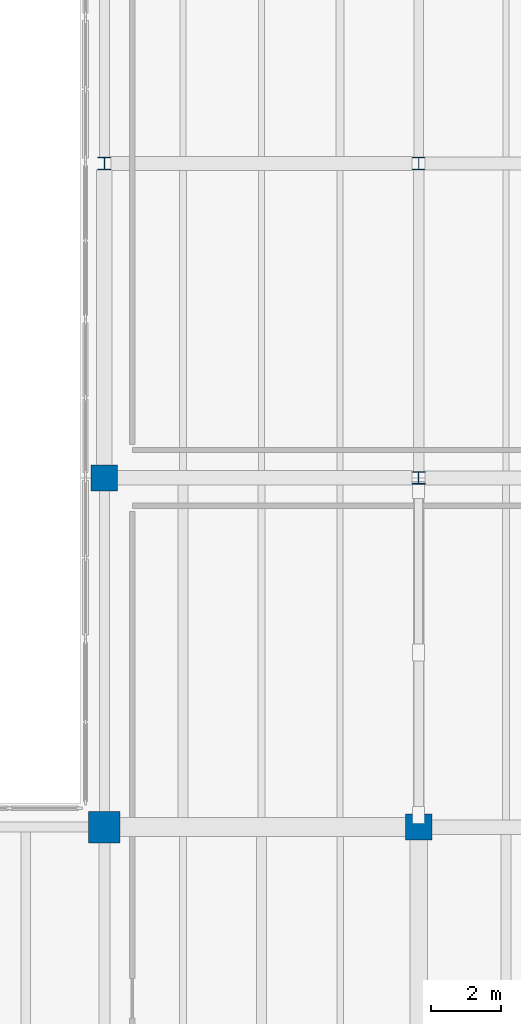
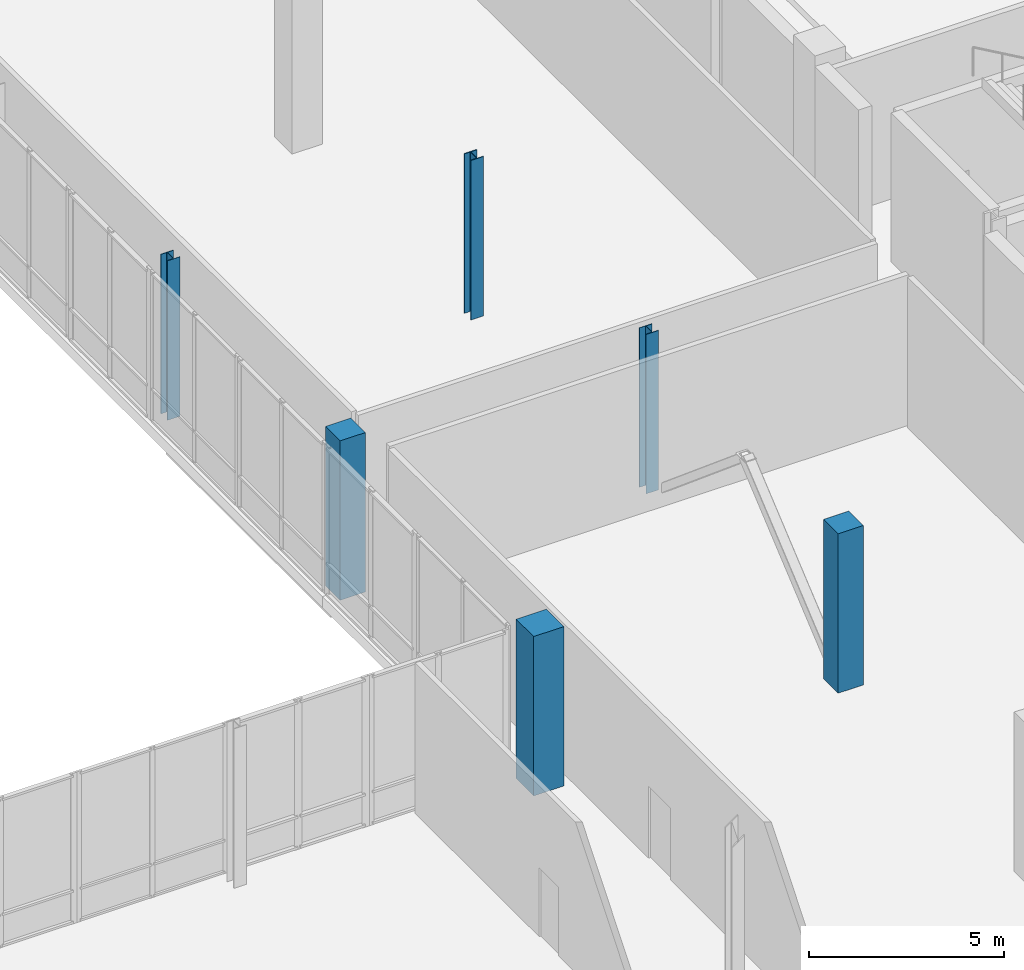
# One storey, part 8 of 88: 6 columns.
"""IFC4 building model written with IfcOpenShell, lengths in metres."""

from ifc_helpers import new_model, si_unit, direction, frame, origin, origin_2d, place, context, subcontext, project, spatial, rectangle, i_section, extrude, material, material_profile, profile_set, type_object, element, save


model = new_model("IFC4")

# Units and contexts
model_context = context("Model", 3, precision=1e-05, world=origin(), true_north=direction((0.0, 1.0)))
body_context = subcontext(model_context, "Body", "Model", "MODEL_VIEW")
ifc_project = project(units=[si_unit("LENGTHUNIT", "METRE"), si_unit("AREAUNIT", "SQUARE_METRE"), si_unit("VOLUMEUNIT", "CUBIC_METRE"), si_unit("PLANEANGLEUNIT", "RADIAN"), si_unit("MASSUNIT", "GRAM", prefix="KILO")], contexts=[model_context])

# Site, building, storey
site_placement = place(None, origin())
site = spatial("IfcSite", under=ifc_project, at=site_placement, CompositionType="ELEMENT")
building_placement = place(site_placement, origin())
building = spatial("IfcBuilding", under=site, at=building_placement, Name="Trimount Lyric Opera House", CompositionType="ELEMENT")
storey_placement = place(building_placement, origin())
storey = spatial("IfcBuildingStorey", under=building, at=storey_placement, Name="L00", CompositionType="ELEMENT", Elevation=0.0)

# Columns
ifc_material_1 = material(Name="Steel ASTM A992 Grade 50", Category="steel")
ifc_material_profile_1 = material_profile(ifc_material_1, i_section(OverallWidth=0.373046875, OverallDepth=0.367919921875, WebThickness=0.014892578125, FlangeThickness=0.02392578125, FilletRadius=0.014892578125, at=origin_2d()), Name="W14X120")
ifc_profile_set_1 = profile_set([ifc_material_profile_1], Name="Steel ASTM A992 Grade 50")
column_type_1 = type_object("IfcColumnType", Name="C-04", PredefinedType="COLUMN", material=ifc_profile_set_1)
column_1_placement = place(storey_placement, frame((54.0, 93.0, 0.0), z_axis=(0.0, 0.0, 1.0), x_axis=(1.0, 0.0, 0.0)))
element("IfcColumn", 1, at=column_1_placement, inside=storey, type_object=column_type_1, Name="L00 column 7/L", PredefinedType="COLUMN", context=body_context, shape_type="SweptSolid", body=[
    extrude(i_section(OverallWidth=0.373046875, OverallDepth=0.367919921875, WebThickness=0.014892578125, FlangeThickness=0.02392578125, FilletRadius=0.014892578125, at=origin_2d()), origin(), (0.0, 0.0, 1.0), 5.0),
])
ifc_material_2 = material(Name="Steel ASTM A992 Grade 50", Category="steel")
ifc_material_profile_2 = material_profile(ifc_material_2, i_section(OverallWidth=0.367919921875, OverallDepth=0.35595703125, WebThickness=0.01123046875, FlangeThickness=0.01806640625, FilletRadius=0.014892578125, at=origin_2d()), Name="W14X90")
ifc_profile_set_2 = profile_set([ifc_material_profile_2], Name="Steel ASTM A992 Grade 50")
column_type_2 = type_object("IfcColumnType", Name="C-09", PredefinedType="COLUMN", material=ifc_profile_set_2)
for number, where, z_axis, x_axis, name in (
    (2, (45.0, 93.0, 0.0), (0.0, 0.0, 1.0), (1.0, 0.0, 0.0), "L00 column 6/L"),
    (3, (54.0, 84.0, 0.0), (0.0, 0.0, 1.0), (1.0, 0.0, 0.0), "L00 column 7/K"),
):
    element("IfcColumn", number, at=place(storey_placement, frame(where, z_axis=z_axis, x_axis=x_axis)), inside=storey, type_object=column_type_2, Name=name, PredefinedType="COLUMN", context=body_context, shape_type="SweptSolid", body=[
        extrude(i_section(OverallWidth=0.367919921875, OverallDepth=0.35595703125, WebThickness=0.01123046875, FlangeThickness=0.01806640625, FilletRadius=0.014892578125, at=origin_2d()), origin(), (0.0, 0.0, 1.0), 5.0),
    ])
ifc_material_3 = material(Name="Concrete C50/60", Category="concrete")
ifc_material_profile_3 = material_profile(ifc_material_3, rectangle(XDim=0.89990234375, YDim=0.89990234375, at=origin_2d()), Name="RC900X900")
ifc_profile_set_3 = profile_set([ifc_material_profile_3], Name="Concrete C50/60")
column_type_3 = type_object("IfcColumnType", Name="C-13", PredefinedType="COLUMN", material=ifc_profile_set_3)
column_2_placement = place(storey_placement, frame((45.0, 74.0, 0.0), z_axis=(0.0, 0.0, 1.0), x_axis=(1.0, 0.0, 0.0)))
element("IfcColumn", 4, at=column_2_placement, inside=storey, type_object=column_type_3, Name="L00 column 6/J", PredefinedType="COLUMN", context=body_context, shape_type="SweptSolid", body=[
    extrude(rectangle(XDim=0.89990234375, YDim=0.89990234375, at=origin_2d()), origin(), (0.0, 0.0, 1.0), 5.0),
])
ifc_material_4 = material(Name="Concrete C40/50", Category="concrete")
ifc_material_profile_4 = material_profile(ifc_material_4, rectangle(XDim=0.75, YDim=0.75, at=origin_2d()), Name="RC750X750")
ifc_profile_set_4 = profile_set([ifc_material_profile_4], Name="Concrete C40/50")
column_type_4 = type_object("IfcColumnType", Name="C-15", PredefinedType="COLUMN", material=ifc_profile_set_4)
for number, where, z_axis, x_axis, name in (
    (5, (45.0, 84.0, 0.0), (0.0, 0.0, 1.0), (1.0, 0.0, 0.0), "L00 column 6/K"),
    (6, (54.0, 74.0, 0.0), (0.0, 0.0, 1.0), (1.0, 0.0, 0.0), "L00 column 7/J"),
):
    element("IfcColumn", number, at=place(storey_placement, frame(where, z_axis=z_axis, x_axis=x_axis)), inside=storey, type_object=column_type_4, Name=name, PredefinedType="COLUMN", context=body_context, shape_type="SweptSolid", body=[
        extrude(rectangle(XDim=0.75, YDim=0.75, at=origin_2d()), origin(), (0.0, 0.0, 1.0), 5.0),
    ])

save(model, "model.ifc")
